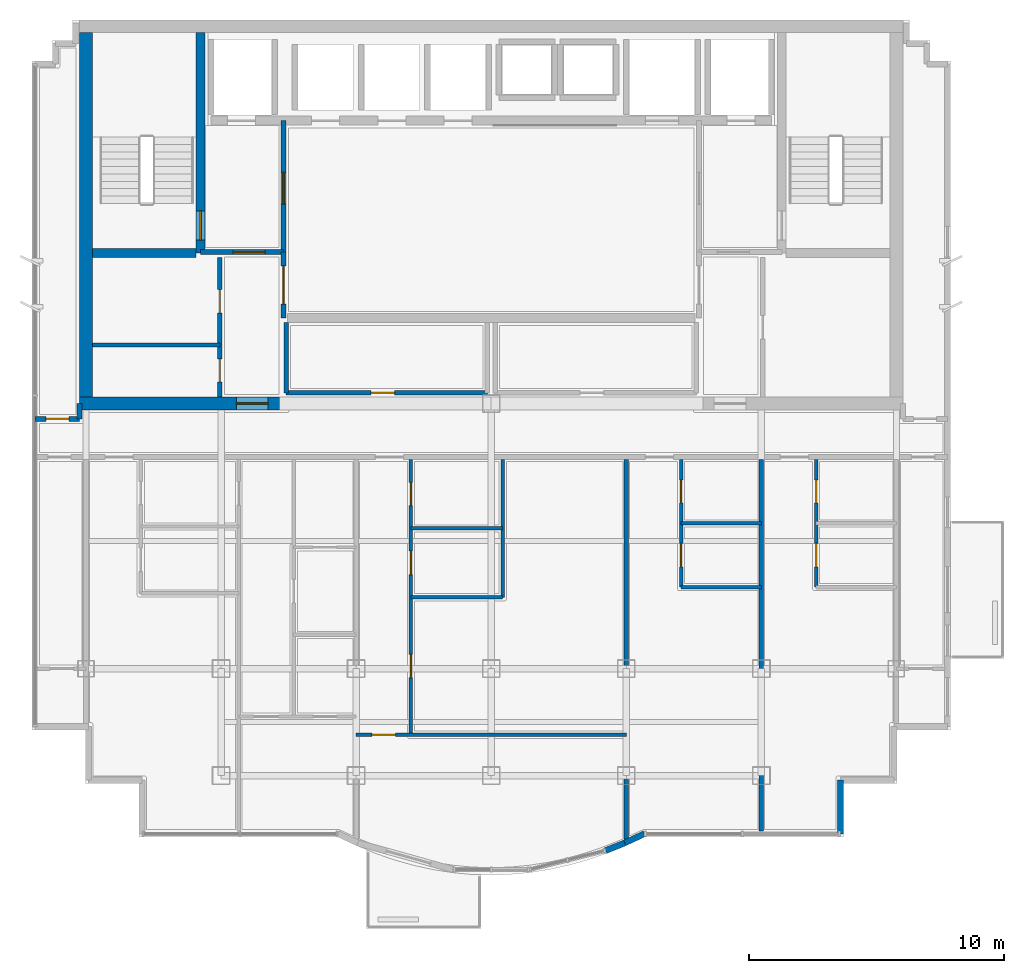
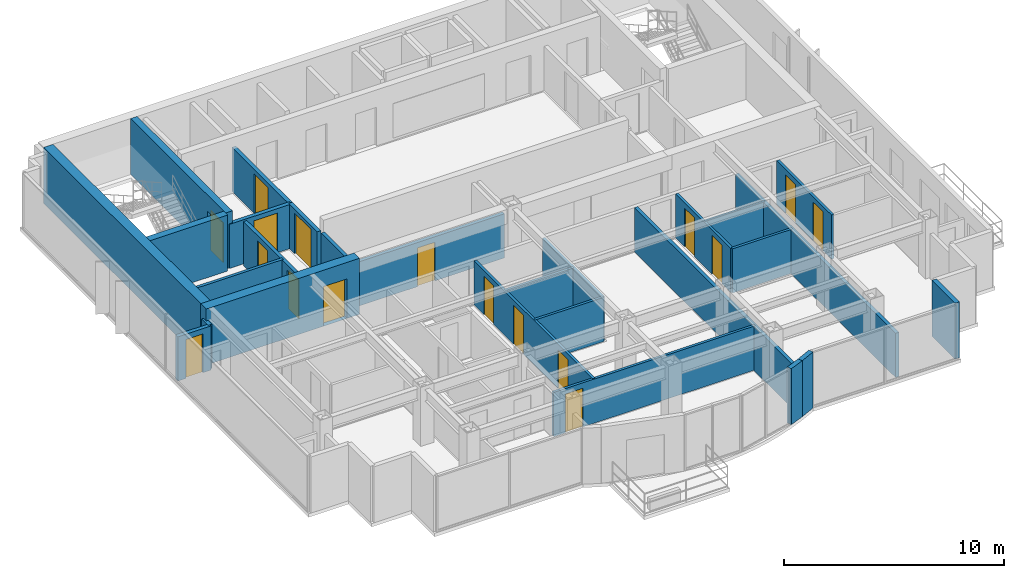
# One storey, part 5 of 9: 27 walls, 17 doors, 17 openings.
"""IFC4 building model written with IfcOpenShell, lengths in metres."""

from ifc_helpers import new_model, si_unit, direction, frame, frame_2d, origin, place, context, subcontext, project, spatial, rectangle, extrude, material, layer, layer_set, type_object, element, fill, save


model = new_model("IFC4")

# Units and contexts
model_context = context("Model", 3, precision=1e-05, world=origin(), true_north=direction((0.0, 1.0)))
body_context = subcontext(model_context, "Body", "Model", "MODEL_VIEW")
ifc_project = project(units=[si_unit("LENGTHUNIT", "METRE"), si_unit("AREAUNIT", "SQUARE_METRE"), si_unit("VOLUMEUNIT", "CUBIC_METRE"), si_unit("PLANEANGLEUNIT", "RADIAN"), si_unit("MASSUNIT", "GRAM", prefix="KILO")], contexts=[model_context])

# Site, building, storey
site_placement = place(None, origin())
site = spatial("IfcSite", under=ifc_project, at=site_placement, CompositionType="ELEMENT")
building_placement = place(site_placement, origin())
building = spatial("IfcBuilding", under=site, at=building_placement, Name="Qianlan Lanfeng Residences", CompositionType="ELEMENT")
storey_placement = place(building_placement, frame((0.0, 0.0, 246.199951171875)))
storey = spatial("IfcBuildingStorey", under=building, at=storey_placement, Name="L68", CompositionType="ELEMENT", Elevation=246.199951171875)

# Wall, opening, door
ifc_material_1 = material(Name="Concrete C49", Category="concrete")
ifc_layer_1 = layer(ifc_material_1, 0.35009765625)
ifc_layer_set_1 = layer_set([ifc_layer_1], Name="Concrete C49")
wall_type_1 = type_object("IfcWallType", Name="CW-RC-350", PredefinedType="SHEAR", material=ifc_layer_set_1)
wall_1_placement = place(storey_placement, frame((15.10009765625, 31.10009765625, 0.0), z_axis=(0.0, 0.0, 1.0), x_axis=(0.0, 1.0, 0.0)))
wall_1 = element("IfcWall", 1, at=wall_1_placement, inside=storey, type_object=wall_type_1, Name="L68 Core Shear Wall ST1E", PredefinedType="SHEAR", context=body_context, shape_type="SweptSolid", body=[
    extrude(rectangle(XDim=8.64990234375, YDim=0.35009765625, at=frame_2d((4.324951171875, 0.0))), origin(), (0.0, 0.0, 1.0), 3.110107421875),
])
opening_1_placement = place(wall_1_placement, frame((0.510009765625, 0.0, 0.0)))
opening_1 = element("IfcOpeningElement", 2, at=opening_1_placement, cuts=wall_1, Name="Opening L68-D07", PredefinedType="OPENING", context=body_context, shape_type="SweptSolid", body=[
    extrude(rectangle(XDim=1.14990234375, YDim=2.199951171875, at=frame_2d((0.574951171875, 1.10009765625))), frame((0.0, 0.18505859375, 0.0), z_axis=(0.0, -1.0, 0.0), x_axis=(1.0, 0.0, 0.0)), (0.0, 0.0, 1.0), 0.3701171875),
])
ifc_material_2 = material(Name="Painted Galvanised Steel Fire Door", Category="steel")
door_type_1 = type_object("IfcDoorType", Name="DT-ST1", OperationType="NOTDEFINED", PredefinedType="DOOR", material=ifc_material_2)
door_1_placement = place(opening_1_placement, frame((1.14990234375, 0.0, 0.0), z_axis=(0.0, 0.0, 1.0), x_axis=(-1.0, 0.0, 0.0)))
door_1 = element("IfcDoor", 3, at=door_1_placement, inside=storey, type_object=door_type_1, Name="L68 Exit Stair ST-1 Door L68-D07 (DT-ST1)", OperationType="SINGLE_SWING_RIGHT", OverallHeight=2.199951171875, OverallWidth=1.14990234375, PredefinedType="DOOR", context=body_context, shape_type="SweptSolid", body=[
    extrude(rectangle(XDim=1.14990234375, YDim=2.199951171875, at=frame_2d((0.574951171875, 1.10009765625))), frame((0.0, 0.02490234375, 0.0), z_axis=(0.0, -1.0, 0.0), x_axis=(1.0, 0.0, 0.0)), (0.0, 0.0, 1.0), 0.050048828125),
])
fill(opening_1, door_1)

# Walls
wall_2_placement = place(storey_placement, frame((10.85009765625, 31.10009765625, 0.0), z_axis=(0.0, 0.0, 1.0), x_axis=(1.0, 0.0, 0.0)))
element("IfcWall", 4, at=wall_2_placement, inside=storey, type_object=wall_type_1, Name="L68 Core Shear Wall ST1S", PredefinedType="SHEAR", context=body_context, shape_type="SweptSolid", body=[
    extrude(rectangle(XDim=4.074951171875, YDim=0.35009765625, at=frame_2d((2.03759765625, 0.0))), origin(), (0.0, 0.0, 1.0), 3.110107421875),
])
ifc_material_3 = material(Name="Concrete C70", Category="concrete")
ifc_layer_2 = layer(ifc_material_3, 0.5)
ifc_layer_set_2 = layer_set([ifc_layer_2], Name="Concrete C70")
wall_type_2 = type_object("IfcWallType", Name="CW-RC-500", PredefinedType="SHEAR", material=ifc_layer_set_2)
wall_3_placement = place(storey_placement, frame((10.60009765625, 25.449951171875, 0.0), z_axis=(0.0, 0.0, 1.0), x_axis=(0.0, 1.0, 0.0)))
element("IfcWall", 5, at=wall_3_placement, inside=storey, type_object=wall_type_2, Name="L68 Core Shear Wall W", PredefinedType="SHEAR", context=body_context, shape_type="SweptSolid", body=[
    extrude(rectangle(XDim=14.300048828125, YDim=0.5, at=frame_2d((7.14990234375, 0.0))), origin(), (0.0, 0.0, 1.0), 3.110107421875),
])

# Wall, opening, door
wall_4_placement = place(storey_placement, frame((10.35009765625, 25.199951171875, 0.0), z_axis=(0.0, 0.0, 1.0), x_axis=(1.0, 0.0, 0.0)))
wall_4 = element("IfcWall", 6, at=wall_4_placement, inside=storey, type_object=wall_type_2, Name="L68 Core Shear Wall SW", PredefinedType="SHEAR", context=body_context, shape_type="SweptSolid", body=[
    extrude(rectangle(XDim=8.0498046875, YDim=0.5, at=frame_2d((4.02490234375, 0.0))), origin(), (0.0, 0.0, 1.0), 3.110107421875),
])
opening_2_placement = place(wall_4_placement, frame((6.14990234375, 0.0, 0.0)))
opening_2 = element("IfcOpeningElement", 7, at=opening_2_placement, cuts=wall_4, Name="Opening L68-D01", PredefinedType="OPENING", context=body_context, shape_type="SweptSolid", body=[
    extrude(rectangle(XDim=1.25, YDim=2.199951171875, at=frame_2d((0.625, 1.10009765625))), frame((0.0, 0.260009765625, 0.0), z_axis=(0.0, -1.0, 0.0), x_axis=(1.0, 0.0, 0.0)), (0.0, 0.0, 1.0), 0.52001953125),
])
door_type_2 = type_object("IfcDoorType", Name="DT-FFL", OperationType="NOTDEFINED", PredefinedType="DOOR", material=ifc_material_2)
door_2_placement = place(opening_2_placement, frame((1.25, 0.0, 0.0), z_axis=(0.0, 0.0, 1.0), x_axis=(-1.0, 0.0, 0.0)))
door_2 = element("IfcDoor", 8, at=door_2_placement, inside=storey, type_object=door_type_2, Name="L68 West Core Lobby Smoke Door L68-D01 (DT-FFL)", OperationType="SINGLE_SWING_RIGHT", OverallHeight=2.199951171875, OverallWidth=1.25, PredefinedType="DOOR", context=body_context, shape_type="SweptSolid", body=[
    extrude(rectangle(XDim=1.25, YDim=2.199951171875, at=frame_2d((0.625, 1.10009765625))), frame((0.0, 0.02490234375, 0.0), z_axis=(0.0, -1.0, 0.0), x_axis=(1.0, 0.0, 0.0)), (0.0, 0.0, 1.0), 0.050048828125),
])
fill(opening_2, door_2)

# Walls
ifc_material_4 = material(Name="Concrete C42", Category="concrete")
ifc_layer_3 = layer(ifc_material_4, 0.239990234375)
ifc_layer_set_3 = layer_set([ifc_layer_3], Name="Concrete C42")
wall_type_3 = type_object("IfcWallType", Name="EW-240", PredefinedType="SOLIDWALL", material=ifc_layer_set_3)
wall_5_placement = place(storey_placement, frame((30.988037109375, 7.656982421875, 0.0), z_axis=(0.0, 0.0, 1.0), x_axis=(0.927870589467, 0.372902358805, 0.0)))
element("IfcWall", 9, at=wall_5_placement, inside=storey, type_object=wall_type_3, Name="L68 Exterior Facade Spandrel Wall 7", PredefinedType="SOLIDWALL", context=body_context, shape_type="SweptSolid", body=[
    extrude(rectangle(XDim=0.80712890625, YDim=0.239990234375, at=frame_2d((0.403564453125, 0.0))), origin(), (0.0, 0.0, 1.0), 3.110107421875),
])
wall_6_placement = place(storey_placement, frame((31.737060546875, 7.9580078125, 0.0), z_axis=(0.0, 0.0, 1.0), x_axis=(0.906190424584, 0.422869855147, 0.0)))
element("IfcWall", 10, at=wall_6_placement, inside=storey, type_object=wall_type_3, Name="L68 Exterior Facade Spandrel Wall 8", PredefinedType="SOLIDWALL", context=body_context, shape_type="SweptSolid", body=[
    extrude(rectangle(XDim=0.856201171875, YDim=0.239990234375, at=frame_2d((0.42822265625, 0.0))), origin(), (0.0, 0.0, 1.0), 3.110107421875),
])
wall_7_placement = place(storey_placement, frame((40.199951171875, 8.320068359375, 0.0), z_axis=(0.0, 0.0, 1.0), x_axis=(0.0, 1.0, 0.0)))
element("IfcWall", 11, at=wall_7_placement, inside=storey, type_object=wall_type_3, Name="L68 Exterior Facade Spandrel Wall 9", PredefinedType="SOLIDWALL", context=body_context, shape_type="SweptSolid", body=[
    extrude(rectangle(XDim=2.099853515625, YDim=0.239990234375, at=frame_2d((1.0498046875, 0.0))), origin(), (0.0, 0.0, 1.0), 3.110107421875),
])

# Wall, opening, door
ifc_material_5 = material(Name="Moisture-Resistant Gypsum Partition 135 mm")
ifc_layer_4 = layer(ifc_material_5, 0.135009765625)
ifc_layer_set_4 = layer_set([ifc_layer_4], Name="Moisture-Resistant Gypsum Partition 135 mm")
wall_type_4 = type_object("IfcWallType", Name="PW-135", PredefinedType="PARTITIONING", material=ifc_layer_set_4)
wall_8_placement = place(storey_placement, frame((21.199951171875, 12.202880859375, 0.0), z_axis=(0.0, 0.0, 1.0), x_axis=(1.0, 0.0, 0.0)))
wall_8 = element("IfcWall", 12, at=wall_8_placement, inside=storey, type_object=wall_type_4, Name="L68 U02 Living Divider", PredefinedType="PARTITIONING", context=body_context, shape_type="SweptSolid", body=[
    extrude(rectangle(XDim=10.60009765625, YDim=0.135009765625, at=frame_2d((5.300048828125, 0.0))), origin(), (0.0, 0.0, 1.0), 2.449951171875),
])
opening_3_placement = place(wall_8_placement, frame((0.614990234375, 0.0, 0.0)))
opening_3 = element("IfcOpeningElement", 13, at=opening_3_placement, cuts=wall_8, Name="Opening L68-D25", PredefinedType="OPENING", context=body_context, shape_type="SweptSolid", body=[
    extrude(rectangle(XDim=0.919921875, YDim=2.14990234375, at=frame_2d((0.4599609375, 1.074951171875))), frame((0.0, 0.07763671875, 0.0), z_axis=(0.0, -1.0, 0.0), x_axis=(1.0, 0.0, 0.0)), (0.0, 0.0, 1.0), 0.155029296875),
])
ifc_material_6 = material(Name="Glazed Timber Kitchen/Study Door", Category="wood")
door_type_3 = type_object("IfcDoorType", Name="DT-INT", OperationType="NOTDEFINED", PredefinedType="DOOR", material=ifc_material_6)
door_3_placement = place(opening_3_placement, frame((0.919921875, 0.0, 0.0), z_axis=(0.0, 0.0, 1.0), x_axis=(-1.0, 0.0, 0.0)))
door_3 = element("IfcDoor", 14, at=door_3_placement, inside=storey, type_object=door_type_3, Name="L68 U02 Living Passage Door L68-D25 (DT-INT)", OperationType="SINGLE_SWING_RIGHT", OverallHeight=2.14990234375, OverallWidth=0.919921875, PredefinedType="DOOR", context=body_context, shape_type="SweptSolid", body=[
    extrude(rectangle(XDim=0.919921875, YDim=2.14990234375, at=frame_2d((0.4599609375, 1.074951171875))), frame((0.0, 0.02490234375, 0.0), z_axis=(0.0, -1.0, 0.0), x_axis=(1.0, 0.0, 0.0)), (0.0, 0.0, 1.0), 0.050048828125),
])
fill(opening_3, door_3)

# Wall, openings, doors
wall_9_placement = place(storey_placement, frame((23.35009765625, 12.202880859375, 0.0), z_axis=(0.0, 0.0, 1.0), x_axis=(0.0, 1.0, 0.0)))
wall_9 = element("IfcWall", 15, at=wall_9_placement, inside=storey, type_object=wall_type_4, Name="L68 U02 Entry Hall Spine", PredefinedType="PARTITIONING", context=body_context, shape_type="SweptSolid", body=[
    extrude(rectangle(XDim=10.797119140625, YDim=0.135009765625, at=frame_2d((5.3984375, 0.0))), origin(), (0.0, 0.0, 1.0), 2.449951171875),
])
opening_4_placement = place(wall_9_placement, frame((2.239013671875, 0.0, 0.0)))
opening_4 = element("IfcOpeningElement", 16, at=opening_4_placement, cuts=wall_9, Name="Opening L68-D26", PredefinedType="OPENING", context=body_context, shape_type="SweptSolid", body=[
    extrude(rectangle(XDim=0.919921875, YDim=2.14990234375, at=frame_2d((0.4599609375, 1.074951171875))), frame((0.0, 0.07763671875, 0.0), z_axis=(0.0, -1.0, 0.0), x_axis=(1.0, 0.0, 0.0)), (0.0, 0.0, 1.0), 0.155029296875),
])
opening_5_placement = place(wall_9_placement, frame((6.287109375, 0.0, 0.0)))
opening_5 = element("IfcOpeningElement", 17, at=opening_5_placement, cuts=wall_9, Name="Opening L68-D27", PredefinedType="OPENING", context=body_context, shape_type="SweptSolid", body=[
    extrude(rectangle(XDim=0.919921875, YDim=2.14990234375, at=frame_2d((0.4599609375, 1.074951171875))), frame((0.0, 0.07763671875, 0.0), z_axis=(0.0, -1.0, 0.0), x_axis=(1.0, 0.0, 0.0)), (0.0, 0.0, 1.0), 0.155029296875),
])
opening_6_placement = place(wall_9_placement, frame((8.9970703125, 0.0, 0.0)))
opening_6 = element("IfcOpeningElement", 18, at=opening_6_placement, cuts=wall_9, Name="Opening L68-D28", PredefinedType="OPENING", context=body_context, shape_type="SweptSolid", body=[
    extrude(rectangle(XDim=0.89990234375, YDim=2.14990234375, at=frame_2d((0.449951171875, 1.074951171875))), frame((0.0, 0.07763671875, 0.0), z_axis=(0.0, -1.0, 0.0), x_axis=(1.0, 0.0, 0.0)), (0.0, 0.0, 1.0), 0.155029296875),
])
door_4_placement = place(opening_4_placement, origin())
door_4 = element("IfcDoor", 19, at=door_4_placement, inside=storey, type_object=door_type_3, Name="L68 U02 Study Door L68-D26 (DT-INT)", OperationType="SINGLE_SWING_RIGHT", OverallHeight=2.14990234375, OverallWidth=0.919921875, PredefinedType="DOOR", context=body_context, shape_type="SweptSolid", body=[
    extrude(rectangle(XDim=0.919921875, YDim=2.14990234375, at=frame_2d((0.4599609375, 1.074951171875))), frame((0.0, 0.02490234375, 0.0), z_axis=(0.0, -1.0, 0.0), x_axis=(1.0, 0.0, 0.0)), (0.0, 0.0, 1.0), 0.050048828125),
])
fill(opening_4, door_4)
door_5_placement = place(opening_5_placement, origin())
door_5 = element("IfcDoor", 20, at=door_5_placement, inside=storey, type_object=door_type_3, Name="L68 U02 Kitchen Door L68-D27 (DT-INT)", OperationType="SINGLE_SWING_LEFT", OverallHeight=2.14990234375, OverallWidth=0.919921875, PredefinedType="DOOR", context=body_context, shape_type="SweptSolid", body=[
    extrude(rectangle(XDim=0.919921875, YDim=2.14990234375, at=frame_2d((0.4599609375, 1.074951171875))), frame((0.0, 0.02490234375, 0.0), z_axis=(0.0, -1.0, 0.0), x_axis=(1.0, 0.0, 0.0)), (0.0, 0.0, 1.0), 0.050048828125),
])
fill(opening_5, door_5)
ifc_material_7 = material(Name="Moisture-Resistant Timber Leaf", Category="wood")
door_type_4 = type_object("IfcDoorType", Name="DT-WC", OperationType="NOTDEFINED", PredefinedType="DOOR", material=ifc_material_7)
door_6_placement = place(opening_6_placement, origin())
door_6 = element("IfcDoor", 21, at=door_6_placement, inside=storey, type_object=door_type_4, Name="L68 U02 Bathroom Door L68-D28 (DT-WC)", OperationType="SINGLE_SWING_RIGHT", OverallHeight=2.14990234375, OverallWidth=0.89990234375, PredefinedType="DOOR", context=body_context, shape_type="SweptSolid", body=[
    extrude(rectangle(XDim=0.89990234375, YDim=2.14990234375, at=frame_2d((0.449951171875, 1.074951171875))), frame((0.0, 0.02490234375, 0.0), z_axis=(0.0, -1.0, 0.0), x_axis=(1.0, 0.0, 0.0)), (0.0, 0.0, 1.0), 0.050048828125),
])
fill(opening_6, door_6)

# Walls
wall_10_placement = place(storey_placement, frame((23.35009765625, 17.60009765625, 0.0), z_axis=(0.0, 0.0, 1.0), x_axis=(1.0, 0.0, 0.0)))
element("IfcWall", 22, at=wall_10_placement, inside=storey, type_object=wall_type_4, Name="L68 U02 Kitchen South Wall", PredefinedType="PARTITIONING", context=body_context, shape_type="SweptSolid", body=[
    extrude(rectangle(XDim=3.599853515625, YDim=0.135009765625, at=frame_2d((1.7998046875, 0.0))), origin(), (0.0, 0.0, 1.0), 2.449951171875),
])
wall_11_placement = place(storey_placement, frame((26.949951171875, 17.60009765625, 0.0), z_axis=(0.0, 0.0, 1.0), x_axis=(0.0, 1.0, 0.0)))
element("IfcWall", 23, at=wall_11_placement, inside=storey, type_object=wall_type_4, Name="L68 U02 Dining East Wall", PredefinedType="PARTITIONING", context=body_context, shape_type="SweptSolid", body=[
    extrude(rectangle(XDim=5.39990234375, YDim=0.135009765625, at=frame_2d((2.699951171875, 0.0))), origin(), (0.0, 0.0, 1.0), 2.449951171875),
])
wall_12_placement = place(storey_placement, frame((23.35009765625, 20.300048828125, 0.0), z_axis=(0.0, 0.0, 1.0), x_axis=(1.0, 0.0, 0.0)))
element("IfcWall", 24, at=wall_12_placement, inside=storey, type_object=wall_type_4, Name="L68 U02 Bathroom South Wall", PredefinedType="PARTITIONING", context=body_context, shape_type="SweptSolid", body=[
    extrude(rectangle(XDim=3.599853515625, YDim=0.135009765625, at=frame_2d((1.7998046875, 0.0))), origin(), (0.0, 0.0, 1.0), 2.449951171875),
])

# Wall, openings, doors
wall_13_placement = place(storey_placement, frame((33.949951171875, 18.0, 0.0), z_axis=(0.0, 0.0, 1.0), x_axis=(0.0, 1.0, 0.0)))
wall_13 = element("IfcWall", 25, at=wall_13_placement, inside=storey, type_object=wall_type_4, Name="L68 U03 Wet Stack Spine", PredefinedType="PARTITIONING", context=body_context, shape_type="SweptSolid", body=[
    extrude(rectangle(XDim=5.0, YDim=0.135009765625, at=frame_2d((2.5, 0.0))), origin(), (0.0, 0.0, 1.0), 2.449951171875),
])
opening_7_placement = place(wall_13_placement, frame((0.7900390625, 0.0, 0.0)))
opening_7 = element("IfcOpeningElement", 26, at=opening_7_placement, cuts=wall_13, Name="Opening L68-D30", PredefinedType="OPENING", context=body_context, shape_type="SweptSolid", body=[
    extrude(rectangle(XDim=0.919921875, YDim=2.14990234375, at=frame_2d((0.4599609375, 1.074951171875))), frame((0.0, 0.07763671875, 0.0), z_axis=(0.0, -1.0, 0.0), x_axis=(1.0, 0.0, 0.0)), (0.0, 0.0, 1.0), 0.155029296875),
])
opening_8_placement = place(wall_13_placement, frame((3.300048828125, 0.0, 0.0)))
opening_8 = element("IfcOpeningElement", 27, at=opening_8_placement, cuts=wall_13, Name="Opening L68-D31", PredefinedType="OPENING", context=body_context, shape_type="SweptSolid", body=[
    extrude(rectangle(XDim=0.89990234375, YDim=2.14990234375, at=frame_2d((0.449951171875, 1.074951171875))), frame((0.0, 0.07763671875, 0.0), z_axis=(0.0, -1.0, 0.0), x_axis=(1.0, 0.0, 0.0)), (0.0, 0.0, 1.0), 0.155029296875),
])
door_7_placement = place(opening_7_placement, origin())
door_7 = element("IfcDoor", 28, at=door_7_placement, inside=storey, type_object=door_type_3, Name="L68 U03 Kitchen Door L68-D30 (DT-INT)", OperationType="SINGLE_SWING_RIGHT", OverallHeight=2.14990234375, OverallWidth=0.919921875, PredefinedType="DOOR", context=body_context, shape_type="SweptSolid", body=[
    extrude(rectangle(XDim=0.919921875, YDim=2.14990234375, at=frame_2d((0.4599609375, 1.074951171875))), frame((0.0, 0.02490234375, 0.0), z_axis=(0.0, -1.0, 0.0), x_axis=(1.0, 0.0, 0.0)), (0.0, 0.0, 1.0), 0.050048828125),
])
fill(opening_7, door_7)
door_8_placement = place(opening_8_placement, origin())
door_8 = element("IfcDoor", 29, at=door_8_placement, inside=storey, type_object=door_type_4, Name="L68 U03 Bathroom Door L68-D31 (DT-WC)", OperationType="SINGLE_SWING_LEFT", OverallHeight=2.14990234375, OverallWidth=0.89990234375, PredefinedType="DOOR", context=body_context, shape_type="SweptSolid", body=[
    extrude(rectangle(XDim=0.89990234375, YDim=2.14990234375, at=frame_2d((0.449951171875, 1.074951171875))), frame((0.0, 0.02490234375, 0.0), z_axis=(0.0, -1.0, 0.0), x_axis=(1.0, 0.0, 0.0)), (0.0, 0.0, 1.0), 0.050048828125),
])
fill(opening_8, door_8)

# Walls
for number, where, z_axis, x_axis, name in (
    (30, (33.949951171875, 18.0, 0.0), (0.0, 0.0, 1.0), (1.0, 0.0, 0.0), "L68 U03 Kitchen South Wall"),
    (31, (33.949951171875, 20.5, 0.0), (0.0, 0.0, 1.0), (1.0, 0.0, 0.0), "L68 U03 Bathroom South Wall"),
):
    element("IfcWall", number, at=place(storey_placement, frame(where, z_axis=z_axis, x_axis=x_axis)), inside=storey, type_object=wall_type_4, Name=name, PredefinedType="PARTITIONING", context=body_context, shape_type="SweptSolid", body=[
        extrude(rectangle(XDim=3.150146484375, YDim=0.135009765625, at=frame_2d((1.5751953125, 0.0))), origin(), (0.0, 0.0, 1.0), 2.449951171875),
    ])

# Wall, openings, doors
wall_14_placement = place(storey_placement, frame((39.25, 18.0, 0.0), z_axis=(0.0, 0.0, 1.0), x_axis=(0.0, 1.0, 0.0)))
wall_14 = element("IfcWall", 32, at=wall_14_placement, inside=storey, type_object=wall_type_4, Name="L68 U04 Wet Stack Spine", PredefinedType="PARTITIONING", context=body_context, shape_type="SweptSolid", body=[
    extrude(rectangle(XDim=5.0, YDim=0.135009765625, at=frame_2d((2.5, 0.0))), origin(), (0.0, 0.0, 1.0), 2.449951171875),
])
opening_9_placement = place(wall_14_placement, frame((0.7900390625, 0.0, 0.0)))
opening_9 = element("IfcOpeningElement", 33, at=opening_9_placement, cuts=wall_14, Name="Opening L68-D33", PredefinedType="OPENING", context=body_context, shape_type="SweptSolid", body=[
    extrude(rectangle(XDim=0.919921875, YDim=2.14990234375, at=frame_2d((0.4599609375, 1.074951171875))), frame((0.0, 0.07763671875, 0.0), z_axis=(0.0, -1.0, 0.0), x_axis=(1.0, 0.0, 0.0)), (0.0, 0.0, 1.0), 0.155029296875),
])
opening_10_placement = place(wall_14_placement, frame((3.300048828125, 0.0, 0.0)))
opening_10 = element("IfcOpeningElement", 34, at=opening_10_placement, cuts=wall_14, Name="Opening L68-D34", PredefinedType="OPENING", context=body_context, shape_type="SweptSolid", body=[
    extrude(rectangle(XDim=0.89990234375, YDim=2.14990234375, at=frame_2d((0.449951171875, 1.074951171875))), frame((0.0, 0.07763671875, 0.0), z_axis=(0.0, -1.0, 0.0), x_axis=(1.0, 0.0, 0.0)), (0.0, 0.0, 1.0), 0.155029296875),
])
door_9_placement = place(opening_9_placement, origin())
door_9 = element("IfcDoor", 35, at=door_9_placement, inside=storey, type_object=door_type_3, Name="L68 U04 Kitchen Door L68-D33 (DT-INT)", OperationType="SINGLE_SWING_LEFT", OverallHeight=2.14990234375, OverallWidth=0.919921875, PredefinedType="DOOR", context=body_context, shape_type="SweptSolid", body=[
    extrude(rectangle(XDim=0.919921875, YDim=2.14990234375, at=frame_2d((0.4599609375, 1.074951171875))), frame((0.0, 0.02490234375, 0.0), z_axis=(0.0, -1.0, 0.0), x_axis=(1.0, 0.0, 0.0)), (0.0, 0.0, 1.0), 0.050048828125),
])
fill(opening_9, door_9)
door_10_placement = place(opening_10_placement, origin())
door_10 = element("IfcDoor", 36, at=door_10_placement, inside=storey, type_object=door_type_4, Name="L68 U04 Bathroom Door L68-D34 (DT-WC)", OperationType="SINGLE_SWING_RIGHT", OverallHeight=2.14990234375, OverallWidth=0.89990234375, PredefinedType="DOOR", context=body_context, shape_type="SweptSolid", body=[
    extrude(rectangle(XDim=0.89990234375, YDim=2.14990234375, at=frame_2d((0.449951171875, 1.074951171875))), frame((0.0, 0.02490234375, 0.0), z_axis=(0.0, -1.0, 0.0), x_axis=(1.0, 0.0, 0.0)), (0.0, 0.0, 1.0), 0.050048828125),
])
fill(opening_10, door_10)

# Wall
ifc_material_8 = material(Name="Acoustic Drywall Partition 150 mm")
ifc_layer_5 = layer(ifc_material_8, 0.14990234375)
ifc_layer_set_5 = layer_set([ifc_layer_5], Name="Acoustic Drywall Partition 150 mm")
wall_type_5 = type_object("IfcWallType", Name="PW-150", PredefinedType="PARTITIONING", material=ifc_layer_set_5)
wall_15_placement = place(storey_placement, frame((10.85009765625, 27.5, 0.0), z_axis=(0.0, 0.0, 1.0), x_axis=(1.0, 0.0, 0.0)))
element("IfcWall", 37, at=wall_15_placement, inside=storey, type_object=wall_type_5, Name="L68 Core West Split", PredefinedType="PARTITIONING", context=body_context, shape_type="SweptSolid", body=[
    extrude(rectangle(XDim=5.0, YDim=0.14990234375, at=frame_2d((2.5, 0.0))), origin(), (0.0, 0.0, 1.0), 2.449951171875),
])

# Wall, openings, doors
ifc_material_9 = material(Name="Double-Layer Acoustic Gypsum Stud Wall 180 mm")
ifc_layer_6 = layer(ifc_material_9, 0.179931640625)
ifc_layer_set_6 = layer_set([ifc_layer_6], Name="Double-Layer Acoustic Gypsum Stud Wall 180 mm")
wall_type_6 = type_object("IfcWallType", Name="PW-180", PredefinedType="PARTITIONING", material=ifc_layer_set_6)
wall_16_placement = place(storey_placement, frame((15.85009765625, 25.449951171875, 0.0), z_axis=(0.0, 0.0, 1.0), x_axis=(0.0, 1.0, 0.0)))
wall_16 = element("IfcWall", 38, at=wall_16_placement, inside=storey, type_object=wall_type_6, Name="L68 Core West Service Room Wall", PredefinedType="PARTITIONING", context=body_context, shape_type="SweptSolid", body=[
    extrude(rectangle(XDim=5.47509765625, YDim=0.179931640625, at=frame_2d((2.737548828125, 0.0))), origin(), (0.0, 0.0, 1.0), 2.449951171875),
])
opening_11_placement = place(wall_16_placement, frame((0.60009765625, 0.0, 0.0)))
opening_11 = element("IfcOpeningElement", 39, at=opening_11_placement, cuts=wall_16, Name="Opening L68-D09", PredefinedType="OPENING", context=body_context, shape_type="SweptSolid", body=[
    extrude(rectangle(XDim=0.89990234375, YDim=2.14990234375, at=frame_2d((0.449951171875, 1.074951171875))), frame((0.0, 0.10009765625, 0.0), z_axis=(0.0, -1.0, 0.0), x_axis=(1.0, 0.0, 0.0)), (0.0, 0.0, 1.0), 0.199951171875),
])
opening_12_placement = place(wall_16_placement, frame((3.302001953125, 0.0, 0.0)))
opening_12 = element("IfcOpeningElement", 40, at=opening_12_placement, cuts=wall_16, Name="Opening L68-D10", PredefinedType="OPENING", context=body_context, shape_type="SweptSolid", body=[
    extrude(rectangle(XDim=0.919921875, YDim=2.14990234375, at=frame_2d((0.4599609375, 1.074951171875))), frame((0.0, 0.10009765625, 0.0), z_axis=(0.0, -1.0, 0.0), x_axis=(1.0, 0.0, 0.0)), (0.0, 0.0, 1.0), 0.199951171875),
])
door_11_placement = place(opening_12_placement, origin())
door_11 = element("IfcDoor", 41, at=door_11_placement, inside=storey, type_object=door_type_3, Name="L68 Janitor Closet Door L68-D10 (DT-INT)", OperationType="SINGLE_SWING_RIGHT", OverallHeight=2.14990234375, OverallWidth=0.919921875, PredefinedType="DOOR", context=body_context, shape_type="SweptSolid", body=[
    extrude(rectangle(XDim=0.919921875, YDim=2.14990234375, at=frame_2d((0.4599609375, 1.074951171875))), frame((0.0, 0.02490234375, 0.0), z_axis=(0.0, -1.0, 0.0), x_axis=(1.0, 0.0, 0.0)), (0.0, 0.0, 1.0), 0.050048828125),
])
fill(opening_12, door_11)
door_12_placement = place(opening_11_placement, frame((0.89990234375, 0.0, 0.0), z_axis=(0.0, 0.0, 1.0), x_axis=(-1.0, 0.0, 0.0)))
door_12 = element("IfcDoor", 42, at=door_12_placement, inside=storey, type_object=door_type_4, Name="L68 Core Staff WC Door L68-D09 (DT-WC)", OperationType="SINGLE_SWING_RIGHT", OverallHeight=2.14990234375, OverallWidth=0.89990234375, PredefinedType="DOOR", context=body_context, shape_type="SweptSolid", body=[
    extrude(rectangle(XDim=0.89990234375, YDim=2.14990234375, at=frame_2d((0.449951171875, 1.074951171875))), frame((0.0, 0.02490234375, 0.0), z_axis=(0.0, -1.0, 0.0), x_axis=(1.0, 0.0, 0.0)), (0.0, 0.0, 1.0), 0.050048828125),
])
fill(opening_11, door_12)

# Wall
wall_17_placement = place(storey_placement, frame((18.449951171875, 25.6201171875, 0.0), z_axis=(0.0, 0.0, 1.0), x_axis=(0.0, 1.0, 0.0)))
element("IfcWall", 43, at=wall_17_placement, inside=storey, type_object=wall_type_6, Name="L68 Reclaimed Low-Bank Room West Wall", PredefinedType="PARTITIONING", context=body_context, shape_type="SweptSolid", body=[
    extrude(rectangle(XDim=2.7548828125, YDim=0.179931640625, at=frame_2d((1.37744140625, 0.0))), origin(), (0.0, 0.0, 1.0), 2.449951171875),
])

# Wall, opening, door
wall_18_placement = place(storey_placement, frame((18.449951171875, 25.6201171875, 0.0), z_axis=(0.0, 0.0, 1.0), x_axis=(1.0, 0.0, 0.0)))
wall_18 = element("IfcWall", 44, at=wall_18_placement, inside=storey, type_object=wall_type_6, Name="L68 Reclaimed Low-Bank Room South Wall", PredefinedType="PARTITIONING", context=body_context, shape_type="SweptSolid", body=[
    extrude(rectangle(XDim=7.900146484375, YDim=0.179931640625, at=frame_2d((3.9501953125, 0.0))), origin(), (0.0, 0.0, 1.0), 2.449951171875),
])
opening_13_placement = place(wall_18_placement, frame((3.340087890625, 0.0, 0.0)))
opening_13 = element("IfcOpeningElement", 45, at=opening_13_placement, cuts=wall_18, Name="Opening L68-D14", PredefinedType="OPENING", context=body_context, shape_type="SweptSolid", body=[
    extrude(rectangle(XDim=0.919921875, YDim=2.14990234375, at=frame_2d((0.4599609375, 1.074951171875))), frame((0.0, 0.10009765625, 0.0), z_axis=(0.0, -1.0, 0.0), x_axis=(1.0, 0.0, 0.0)), (0.0, 0.0, 1.0), 0.199951171875),
])
door_13_placement = place(opening_13_placement, origin())
door_13 = element("IfcDoor", 46, at=door_13_placement, inside=storey, type_object=door_type_3, Name="L68 Reclaimed Core Salon Door L68-D14 (DT-INT)", OperationType="SINGLE_SWING_RIGHT", OverallHeight=2.14990234375, OverallWidth=0.919921875, PredefinedType="DOOR", context=body_context, shape_type="SweptSolid", body=[
    extrude(rectangle(XDim=0.919921875, YDim=2.14990234375, at=frame_2d((0.4599609375, 1.074951171875))), frame((0.0, 0.02490234375, 0.0), z_axis=(0.0, -1.0, 0.0), x_axis=(1.0, 0.0, 0.0)), (0.0, 0.0, 1.0), 0.050048828125),
])
fill(opening_13, door_13)

# Walls
wall_19_placement = place(storey_placement, frame((31.800048828125, 8.097900390625, 0.0), z_axis=(0.0, 0.0, 1.0), x_axis=(0.0, 1.0, 0.0)))
element("IfcWall", 47, at=wall_19_placement, inside=storey, type_object=wall_type_6, Name="L68 Inter-Tenancy Party Wall 3", PredefinedType="PARTITIONING", context=body_context, shape_type="SweptSolid", body=[
    extrude(rectangle(XDim=14.902099609375, YDim=0.179931640625, at=frame_2d((7.451171875, 0.0))), origin(), (0.0, 0.0, 1.0), 2.449951171875),
])
wall_20_placement = place(storey_placement, frame((37.10009765625, 8.419921875, 0.0), z_axis=(0.0, 0.0, 1.0), x_axis=(0.0, 1.0, 0.0)))
element("IfcWall", 48, at=wall_20_placement, inside=storey, type_object=wall_type_6, Name="L68 Inter-Tenancy Party Wall 4", PredefinedType="PARTITIONING", context=body_context, shape_type="SweptSolid", body=[
    extrude(rectangle(XDim=14.580078125, YDim=0.179931640625, at=frame_2d((7.2900390625, 0.0))), origin(), (0.0, 0.0, 1.0), 2.449951171875),
])

# Wall, opening, door
ifc_material_10 = material(Name="Autoclaved Aerated Concrete Blockwork 200 mm", Category="masonry")
ifc_layer_7 = layer(ifc_material_10, 0.199951171875)
ifc_layer_set_7 = layer_set([ifc_layer_7], Name="Autoclaved Aerated Concrete Blockwork 200 mm")
wall_type_7 = type_object("IfcWallType", Name="PW-200", PredefinedType="PARTITIONING", material=ifc_layer_set_7)
wall_21_placement = place(storey_placement, frame((15.10009765625, 31.14990234375, 0.0), z_axis=(0.0, 0.0, 1.0), x_axis=(1.0, 0.0, 0.0)))
wall_21 = element("IfcWall", 49, at=wall_21_placement, inside=storey, type_object=wall_type_7, Name="L68 Firefighting Lobby 1 South Wall", PredefinedType="PARTITIONING", context=body_context, shape_type="SweptSolid", body=[
    extrude(rectangle(XDim=3.25, YDim=0.199951171875, at=frame_2d((1.625, 0.0))), origin(), (0.0, 0.0, 1.0), 2.449951171875),
])
opening_14_placement = place(wall_21_placement, frame((1.27490234375, 0.0, 0.0)))
opening_14 = element("IfcOpeningElement", 50, at=opening_14_placement, cuts=wall_21, Name="Opening L68-D03", PredefinedType="OPENING", context=body_context, shape_type="SweptSolid", body=[
    extrude(rectangle(XDim=1.25, YDim=2.199951171875, at=frame_2d((0.625, 1.10009765625))), frame((0.0, 0.10986328125, 0.0), z_axis=(0.0, -1.0, 0.0), x_axis=(1.0, 0.0, 0.0)), (0.0, 0.0, 1.0), 0.219970703125),
])
door_14_placement = place(opening_14_placement, origin())
door_14 = element("IfcDoor", 51, at=door_14_placement, inside=storey, type_object=door_type_2, Name="L68 Firefighting Lobby 1 Entry Door L68-D03 (DT-FFL)", OperationType="SINGLE_SWING_LEFT", OverallHeight=2.199951171875, OverallWidth=1.25, PredefinedType="DOOR", context=body_context, shape_type="SweptSolid", body=[
    extrude(rectangle(XDim=1.25, YDim=2.199951171875, at=frame_2d((0.625, 1.10009765625))), frame((0.0, 0.02490234375, 0.0), z_axis=(0.0, -1.0, 0.0), x_axis=(1.0, 0.0, 0.0)), (0.0, 0.0, 1.0), 0.050048828125),
])
fill(opening_14, door_14)

wall_22_placement = place(storey_placement, frame((18.35009765625, 31.14990234375, 0.0), z_axis=(0.0, 0.0, 1.0), x_axis=(0.0, 1.0, 0.0)))
wall_22 = element("IfcWall", 52, at=wall_22_placement, inside=storey, type_object=wall_type_7, Name="L68 Firefighting Lobby 1 East Wall", PredefinedType="PARTITIONING", context=body_context, shape_type="SweptSolid", body=[
    extrude(rectangle(XDim=5.150146484375, YDim=0.199951171875, at=frame_2d((2.5751953125, 0.0))), origin(), (0.0, 0.0, 1.0), 2.449951171875),
])
opening_15_placement = place(wall_22_placement, frame((1.875, 0.0, 0.0)))
opening_15 = element("IfcOpeningElement", 53, at=opening_15_placement, cuts=wall_22, Name="Opening L68-D04", PredefinedType="OPENING", context=body_context, shape_type="SweptSolid", body=[
    extrude(rectangle(XDim=1.25, YDim=2.199951171875, at=frame_2d((0.625, 1.10009765625))), frame((0.0, 0.10986328125, 0.0), z_axis=(0.0, -1.0, 0.0), x_axis=(1.0, 0.0, 0.0)), (0.0, 0.0, 1.0), 0.219970703125),
])
door_15_placement = place(opening_15_placement, origin())
door_15 = element("IfcDoor", 54, at=door_15_placement, inside=storey, type_object=door_type_2, Name="L68 Firefighting Lobby 1 Lift Lobby Door L68-D04 (DT-FFL)", OperationType="SINGLE_SWING_RIGHT", OverallHeight=2.199951171875, OverallWidth=1.25, PredefinedType="DOOR", context=body_context, shape_type="SweptSolid", body=[
    extrude(rectangle(XDim=1.25, YDim=2.199951171875, at=frame_2d((0.625, 1.10009765625))), frame((0.0, 0.02490234375, 0.0), z_axis=(0.0, -1.0, 0.0), x_axis=(1.0, 0.0, 0.0)), (0.0, 0.0, 1.0), 0.050048828125),
])
fill(opening_15, door_15)

wall_23_placement = place(storey_placement, frame((18.35009765625, 28.550048828125, 0.0), z_axis=(0.0, 0.0, 1.0), x_axis=(0.0, 1.0, 0.0)))
wall_23 = element("IfcWall", 55, at=wall_23_placement, inside=storey, type_object=wall_type_7, Name="L68 Lift Lobby West Connector Wall", PredefinedType="PARTITIONING", context=body_context, shape_type="SweptSolid", body=[
    extrude(rectangle(XDim=2.599853515625, YDim=0.199951171875, at=frame_2d((1.2998046875, 0.0))), origin(), (0.0, 0.0, 1.0), 2.449951171875),
])
opening_16_placement = place(wall_23_placement, frame((0.550048828125, 0.0, 0.0)))
opening_16 = element("IfcOpeningElement", 56, at=opening_16_placement, cuts=wall_23, Name="Opening L68-D12", PredefinedType="OPENING", context=body_context, shape_type="SweptSolid", body=[
    extrude(rectangle(XDim=1.5, YDim=2.25, at=frame_2d((0.75, 1.125))), frame((0.0, 0.10986328125, 0.0), z_axis=(0.0, -1.0, 0.0), x_axis=(1.0, 0.0, 0.0)), (0.0, 0.0, 1.0), 0.219970703125),
])
ifc_material_11 = material(Name="Timber Veneer Acoustic Fire Door", Category="wood")
door_type_5 = type_object("IfcDoorType", Name="DT-COR1", OperationType="NOTDEFINED", PredefinedType="DOOR", material=ifc_material_11)
door_16_placement = place(opening_16_placement, origin())
door_16 = element("IfcDoor", 57, at=door_16_placement, inside=storey, type_object=door_type_5, Name="L68 Lift Lobby West Portal Door L68-D12 (DT-COR1)", OperationType="DOUBLE_DOOR_SINGLE_SWING", OverallHeight=2.25, OverallWidth=1.5, PredefinedType="DOOR", context=body_context, shape_type="SweptSolid", body=[
    extrude(rectangle(XDim=1.5, YDim=2.25, at=frame_2d((0.75, 1.125))), frame((0.0, 0.02490234375, 0.0), z_axis=(0.0, -1.0, 0.0), x_axis=(1.0, 0.0, 0.0)), (0.0, 0.0, 1.0), 0.050048828125),
])
fill(opening_16, door_16)

wall_24_placement = place(storey_placement, frame((8.60009765625, 24.60009765625, 0.0), z_axis=(0.0, 0.0, 1.0), x_axis=(1.0, 0.0, 0.0)))
wall_24 = element("IfcWall", 58, at=wall_24_placement, inside=storey, type_object=wall_type_7, Name="L68 Corridor NW Wall", PredefinedType="PARTITIONING", context=body_context, shape_type="SweptSolid", body=[
    extrude(rectangle(XDim=1.75, YDim=0.199951171875, at=frame_2d((0.875, 0.0))), origin(), (0.0, 0.0, 1.0), 2.449951171875),
])
opening_17_placement = place(wall_24_placement, frame((0.425048828125, 0.0, 0.0)))
opening_17 = element("IfcOpeningElement", 59, at=opening_17_placement, cuts=wall_24, Name="Opening L68-D39", PredefinedType="OPENING", context=body_context, shape_type="SweptSolid", body=[
    extrude(rectangle(XDim=0.89990234375, YDim=2.14990234375, at=frame_2d((0.449951171875, 1.074951171875))), frame((0.0, 0.10986328125, 0.0), z_axis=(0.0, -1.0, 0.0), x_axis=(1.0, 0.0, 0.0)), (0.0, 0.0, 1.0), 0.219970703125),
])
door_17_placement = place(opening_17_placement, origin())
door_17 = element("IfcDoor", 60, at=door_17_placement, inside=storey, type_object=door_type_4, Name="L68 WW Amenity Salon Door L68-D39 (DT-WC)", OperationType="SINGLE_SWING_LEFT", OverallHeight=2.14990234375, OverallWidth=0.89990234375, PredefinedType="DOOR", context=body_context, shape_type="SweptSolid", body=[
    extrude(rectangle(XDim=0.89990234375, YDim=2.14990234375, at=frame_2d((0.449951171875, 1.074951171875))), frame((0.0, 0.02490234375, 0.0), z_axis=(0.0, -1.0, 0.0), x_axis=(1.0, 0.0, 0.0)), (0.0, 0.0, 1.0), 0.050048828125),
])
fill(opening_17, door_17)

# Wall
wall_25_placement = place(storey_placement, frame((10.35009765625, 24.60009765625, 0.0), z_axis=(0.0, 0.0, 1.0), x_axis=(0.0, 1.0, 0.0)))
element("IfcWall", 61, at=wall_25_placement, inside=storey, type_object=wall_type_7, Name="L68 NW Wing Core Return Wall", PredefinedType="PARTITIONING", context=body_context, shape_type="SweptSolid", body=[
    extrude(rectangle(XDim=0.599853515625, YDim=0.199951171875, at=frame_2d((0.2998046875, 0.0))), origin(), (0.0, 0.0, 1.0), 2.449951171875),
])

save(model, "model.ifc")
